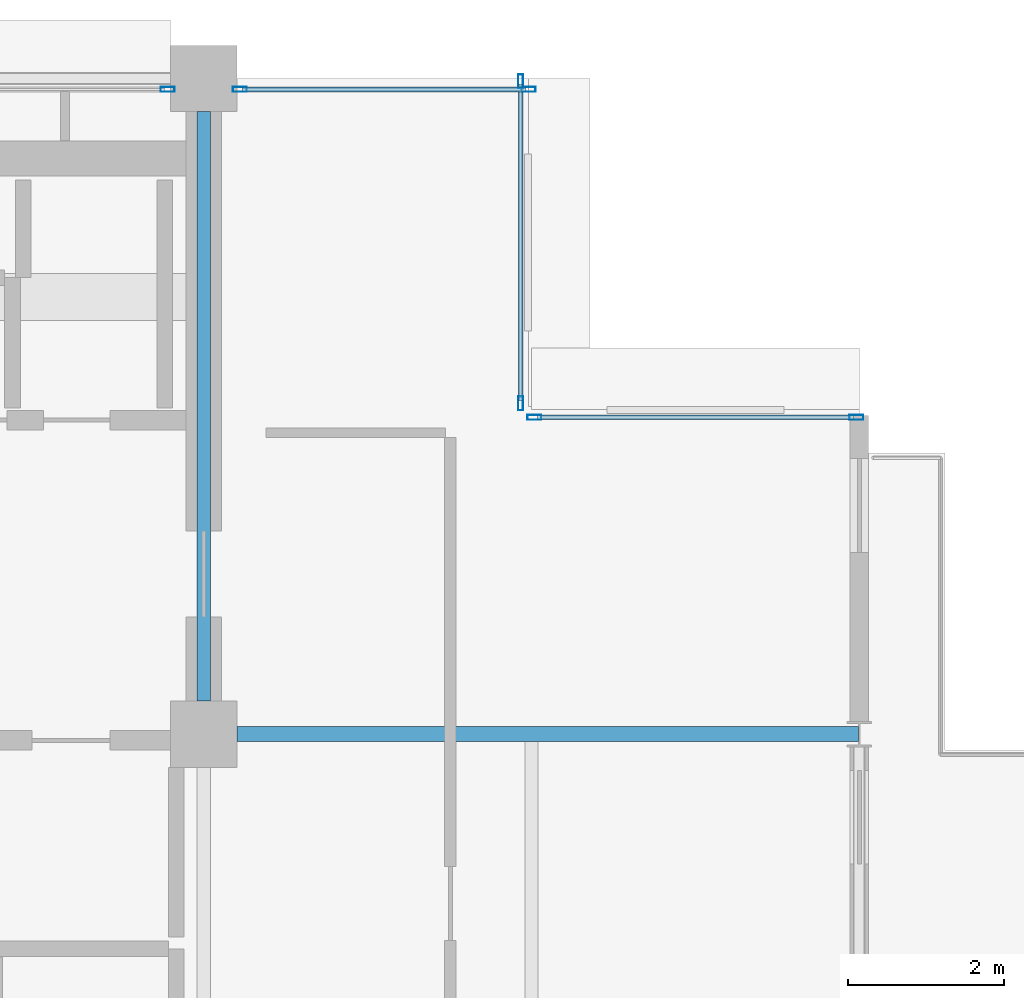
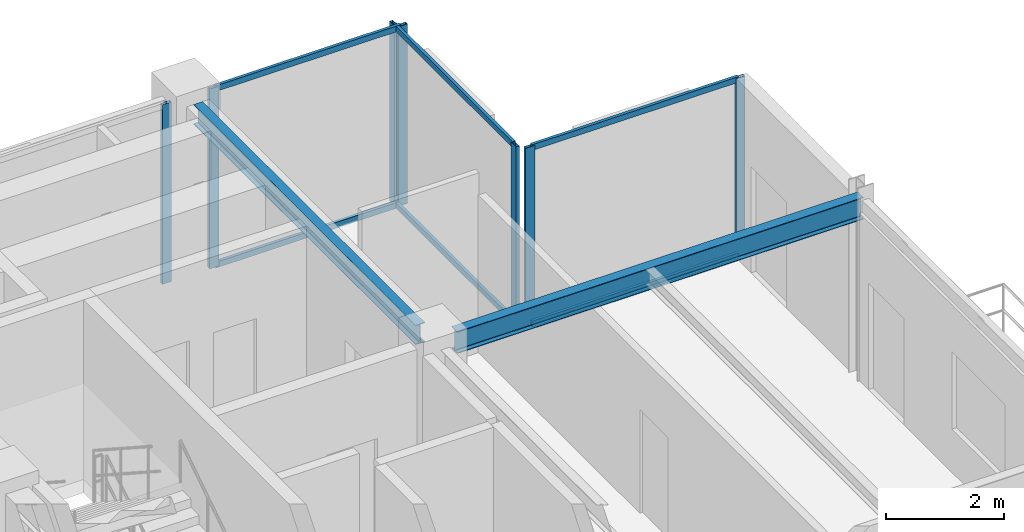
# One storey, part 18 of 25: 13 members, 2 beams, 4 elements without a shape of their own.
"""IFC4 building model written with IfcOpenShell, lengths in metres."""

from ifc_helpers import new_model, si_unit, direction, frame, origin, origin_2d, place, context, subcontext, project, spatial, hollow_rectangle, i_section, extrude, material, layer, layer_set, material_profile, profile_set, type_object, element, aggregate, save


model = new_model("IFC4")

# Units and contexts
model_context = context("Model", 3, precision=1e-05, world=origin(), true_north=direction((0.0, 1.0)))
body_context = subcontext(model_context, "Body", "Model", "MODEL_VIEW")
ifc_project = project(units=[si_unit("LENGTHUNIT", "METRE"), si_unit("AREAUNIT", "SQUARE_METRE"), si_unit("VOLUMEUNIT", "CUBIC_METRE"), si_unit("PLANEANGLEUNIT", "RADIAN"), si_unit("MASSUNIT", "GRAM", prefix="KILO")], contexts=[model_context])

# Site, building, storey
site_placement = place(None, origin())
site = spatial("IfcSite", under=ifc_project, at=site_placement, CompositionType="ELEMENT")
building_placement = place(site_placement, origin())
building = spatial("IfcBuilding", under=site, at=building_placement, Name="Nerrivon Quay Data Exchange", CompositionType="ELEMENT")
storey_placement = place(building_placement, frame((0.0, 0.0, 302.199951171875)))
storey = spatial("IfcBuildingStorey", under=building, at=storey_placement, Name="L72", CompositionType="ELEMENT", Elevation=302.199951171875)

# Beams
ifc_material_1 = material(Name="Steel Grade 350", Category="steel")
ifc_material_profile_1 = material_profile(ifc_material_1, i_section(OverallWidth=0.18994140625, OverallDepth=0.4541015625, WebThickness=0.008544921875, FlangeThickness=0.0126953125, FilletRadius=0.011474609375, at=origin_2d()), Name="460UB67.1")
ifc_profile_set_1 = profile_set([ifc_material_profile_1], Name="Steel Grade 350")
beam_type_1 = type_object("IfcBeamType", Name="BM-G6-460UB67", PredefinedType="BEAM", material=ifc_profile_set_1)
beam_1_placement = place(storey_placement, frame((17.22509765625, 33.60009765625, 3.498046875), z_axis=(1.0, 0.0, 0.0), x_axis=(0.0, 1.0, 0.0)))
element("IfcBeam", 1, at=beam_1_placement, inside=storey, type_object=beam_type_1, Name="L72 EW Girder Y=33.6 (16.8..25.2)", PredefinedType="BEAM", context=body_context, shape_type="SweptSolid", body=[
    extrude(i_section(OverallWidth=0.18994140625, OverallDepth=0.4541015625, WebThickness=0.008544921875, FlangeThickness=0.0126953125, FilletRadius=0.011474609375, at=origin_2d()), origin(), (0.0, 0.0, 1.0), 7.967041015625),
])
ifc_material_profile_2 = material_profile(ifc_material_1, i_section(OverallWidth=0.177978515625, OverallDepth=0.406005859375, WebThickness=0.0078125, FlangeThickness=0.0126953125, FilletRadius=0.011474609375, at=origin_2d()), Name="410UB59.7")
ifc_profile_set_2 = profile_set([ifc_material_profile_2], Name="Steel Grade 350")
beam_type_2 = type_object("IfcBeamType", Name="BM-J1-410UB60", PredefinedType="JOIST", material=ifc_profile_set_2)
beam_2_placement = place(storey_placement, frame((16.800048828125, 34.02490234375, 3.52197265625), z_axis=(0.0, 1.0, 0.0), x_axis=(-1.0, 0.0, 0.0)))
element("IfcBeam", 2, at=beam_2_placement, inside=storey, type_object=beam_type_2, Name="L72 NS Girder X=16.8 (33.6..42.0)", PredefinedType="JOIST", context=body_context, shape_type="SweptSolid", body=[
    extrude(i_section(OverallWidth=0.177978515625, OverallDepth=0.406005859375, WebThickness=0.0078125, FlangeThickness=0.0126953125, FilletRadius=0.011474609375, at=origin_2d()), origin(), (0.0, 0.0, 1.0), 7.550048828125),
])

# Curtain wall, member
ifc_material_2 = material(Name="Anodised aluminium 6063-T6", Category="aluminium")
ifc_layer = layer(ifc_material_2, 0.195068359375)
ifc_layer_set = layer_set([ifc_layer], Name="Anodised aluminium 6063-T6")
curtain_wall_type = type_object("IfcCurtainWallType", Name="CW-SYS-06", PredefinedType="NOTDEFINED", material=ifc_layer_set)
curtain_wall_1_placement = place(storey_placement, origin())
curtain_wall_1 = element("IfcCurtainWall", 3, at=curtain_wall_1_placement, inside=storey, type_object=curtain_wall_type, Name="L72 Unitised Curtain Wall 15", PredefinedType="NOTDEFINED")
ifc_material_profile_3 = material_profile(ifc_material_2, hollow_rectangle(XDim=0.06494140625, YDim=0.179931640625, WallThickness=0.00341796875, at=origin_2d()), Name="ALU-MULL-180x65")
ifc_profile_set_3 = profile_set([ifc_material_profile_3], Name="Anodised aluminium 6063-T6")
member_type_1 = type_object("IfcMemberType", Name="CWM-180x65", PredefinedType="MULLION", material=ifc_profile_set_3)
member_1_placement = place(storey_placement, frame((16.33740234375, 41.860107421875, 0.0), z_axis=(0.0, 0.0, 1.0), x_axis=(0.0, 1.0, 0.0)))
member_1 = element("IfcMember", 4, at=member_1_placement, type_object=member_type_1, Name="CW06 mullion 2", PredefinedType="MULLION", context=body_context, shape_type="SweptSolid", body=[
    extrude(hollow_rectangle(XDim=0.06494140625, YDim=0.179931640625, WallThickness=0.00341796875, at=origin_2d()), origin(), (0.0, 0.0, 1.0), 3.72509765625),
])
aggregate(curtain_wall_1, [member_1])

# Curtain wall, members
curtain_wall_2_placement = place(storey_placement, origin())
curtain_wall_2 = element("IfcCurtainWall", 5, at=curtain_wall_2_placement, inside=storey, type_object=curtain_wall_type, Name="L72 Unitised Curtain Wall 16", PredefinedType="NOTDEFINED")
member_2_placement = place(storey_placement, frame((17.262451171875, 41.860107421875, 0.0), z_axis=(0.0, 0.0, 1.0), x_axis=(0.0, 1.0, 0.0)))
member_2 = element("IfcMember", 6, at=member_2_placement, type_object=member_type_1, Name="CW06 mullion 1", PredefinedType="MULLION", context=body_context, shape_type="SweptSolid", body=[
    extrude(hollow_rectangle(XDim=0.06494140625, YDim=0.179931640625, WallThickness=0.00341796875, at=origin_2d()), origin(), (0.0, 0.0, 1.0), 3.72509765625),
])
member_3_placement = place(storey_placement, frame((20.96240234375, 41.860107421875, 0.0), z_axis=(0.0, 0.0, 1.0), x_axis=(0.0, 1.0, 0.0)))
member_3 = element("IfcMember", 7, at=member_3_placement, type_object=member_type_1, Name="CW06 mullion 2", PredefinedType="MULLION", context=body_context, shape_type="SweptSolid", body=[
    extrude(hollow_rectangle(XDim=0.06494140625, YDim=0.179931640625, WallThickness=0.00341796875, at=origin_2d()), origin(), (0.0, 0.0, 1.0), 3.72509765625),
])

curtain_wall_3_placement = place(storey_placement, origin())
curtain_wall_3 = element("IfcCurtainWall", 8, at=curtain_wall_3_placement, inside=storey, type_object=curtain_wall_type, Name="L72 Unitised Curtain Wall 17", PredefinedType="NOTDEFINED")
member_4_placement = place(storey_placement, frame((20.860107421875, 41.96240234375, 0.0), z_axis=(0.0, 0.0, 1.0), x_axis=(1.0, 0.0, 0.0)))
member_4 = element("IfcMember", 9, at=member_4_placement, type_object=member_type_1, Name="CW06 mullion 1", PredefinedType="MULLION", context=body_context, shape_type="SweptSolid", body=[
    extrude(hollow_rectangle(XDim=0.06494140625, YDim=0.179931640625, WallThickness=0.00341796875, at=origin_2d()), origin(), (0.0, 0.0, 1.0), 3.72509765625),
])
member_5_placement = place(storey_placement, frame((20.860107421875, 37.83740234375, 0.0), z_axis=(0.0, 0.0, 1.0), x_axis=(1.0, 0.0, 0.0)))
member_5 = element("IfcMember", 10, at=member_5_placement, type_object=member_type_1, Name="CW06 mullion 2", PredefinedType="MULLION", context=body_context, shape_type="SweptSolid", body=[
    extrude(hollow_rectangle(XDim=0.06494140625, YDim=0.179931640625, WallThickness=0.00341796875, at=origin_2d()), origin(), (0.0, 0.0, 1.0), 3.72509765625),
])

curtain_wall_4_placement = place(storey_placement, origin())
curtain_wall_4 = element("IfcCurtainWall", 11, at=curtain_wall_4_placement, inside=storey, type_object=curtain_wall_type, Name="L72 Unitised Curtain Wall 18", PredefinedType="NOTDEFINED")
member_6_placement = place(storey_placement, frame((21.03759765625, 37.659912109375, 0.0), z_axis=(0.0, 0.0, 1.0), x_axis=(0.0, 1.0, 0.0)))
member_6 = element("IfcMember", 12, at=member_6_placement, type_object=member_type_1, Name="CW06 mullion 1", PredefinedType="MULLION", context=body_context, shape_type="SweptSolid", body=[
    extrude(hollow_rectangle(XDim=0.06494140625, YDim=0.179931640625, WallThickness=0.00341796875, at=origin_2d()), origin(), (0.0, 0.0, 1.0), 3.72509765625),
])
member_7_placement = place(storey_placement, frame((25.16259765625, 37.659912109375, 0.0), z_axis=(0.0, 0.0, 1.0), x_axis=(0.0, 1.0, 0.0)))
member_7 = element("IfcMember", 13, at=member_7_placement, type_object=member_type_1, Name="CW06 mullion 2", PredefinedType="MULLION", context=body_context, shape_type="SweptSolid", body=[
    extrude(hollow_rectangle(XDim=0.06494140625, YDim=0.179931640625, WallThickness=0.00341796875, at=origin_2d()), origin(), (0.0, 0.0, 1.0), 3.72509765625),
])

# Member
ifc_material_profile_4 = material_profile(ifc_material_2, hollow_rectangle(XDim=0.06005859375, YDim=0.1201171875, WallThickness=0.003173828125, at=origin_2d()), Name="ALU-TRAN-120x60")
ifc_profile_set_4 = profile_set([ifc_material_profile_4], Name="Anodised aluminium 6063-T6")
member_type_2 = type_object("IfcMemberType", Name="CWT-120x60", PredefinedType="USERDEFINED", material=ifc_profile_set_4)
member_8_placement = place(storey_placement, frame((17.300048828125, 41.860107421875, 0.032470703125), z_axis=(1.0, 0.0, 0.0), x_axis=(0.0, 1.0, 0.0)))
member_8 = element("IfcMember", 14, at=member_8_placement, type_object=member_type_2, Name="CW06 transom 1.1", ObjectType="TRANSOM", PredefinedType="USERDEFINED", context=body_context, shape_type="SweptSolid", body=[
    extrude(hollow_rectangle(XDim=0.06005859375, YDim=0.1201171875, WallThickness=0.003173828125, at=origin_2d()), origin(), (0.0, 0.0, 1.0), 3.625),
])

member_9_placement = place(storey_placement, frame((17.300048828125, 41.860107421875, 3.692626953125), z_axis=(1.0, 0.0, 0.0), x_axis=(0.0, 1.0, 0.0)))
member_9 = element("IfcMember", 15, at=member_9_placement, type_object=member_type_2, Name="CW06 transom 1.2", ObjectType="TRANSOM", PredefinedType="USERDEFINED", context=body_context, shape_type="SweptSolid", body=[
    extrude(hollow_rectangle(XDim=0.06005859375, YDim=0.1201171875, WallThickness=0.003173828125, at=origin_2d()), origin(), (0.0, 0.0, 1.0), 3.625),
])

aggregate(curtain_wall_2, [member_2, member_3, member_8, member_9])

member_10_placement = place(storey_placement, frame((20.860107421875, 41.925048828125, 0.032470703125), z_axis=(0.0, -1.0, 0.0), x_axis=(1.0, 0.0, 0.0)))
member_10 = element("IfcMember", 16, at=member_10_placement, type_object=member_type_2, Name="CW06 transom 1.1", ObjectType="TRANSOM", PredefinedType="USERDEFINED", context=body_context, shape_type="SweptSolid", body=[
    extrude(hollow_rectangle(XDim=0.06005859375, YDim=0.1201171875, WallThickness=0.003173828125, at=origin_2d()), origin(), (0.0, 0.0, 1.0), 4.050048828125),
])

member_11_placement = place(storey_placement, frame((20.860107421875, 41.925048828125, 3.692626953125), z_axis=(0.0, -1.0, 0.0), x_axis=(1.0, 0.0, 0.0)))
member_11 = element("IfcMember", 17, at=member_11_placement, type_object=member_type_2, Name="CW06 transom 1.2", ObjectType="TRANSOM", PredefinedType="USERDEFINED", context=body_context, shape_type="SweptSolid", body=[
    extrude(hollow_rectangle(XDim=0.06005859375, YDim=0.1201171875, WallThickness=0.003173828125, at=origin_2d()), origin(), (0.0, 0.0, 1.0), 4.050048828125),
])

aggregate(curtain_wall_3, [member_4, member_5, member_10, member_11])

member_12_placement = place(storey_placement, frame((21.074951171875, 37.659912109375, 0.032470703125), z_axis=(1.0, 0.0, 0.0), x_axis=(0.0, 1.0, 0.0)))
member_12 = element("IfcMember", 18, at=member_12_placement, type_object=member_type_2, Name="CW06 transom 1.1", ObjectType="TRANSOM", PredefinedType="USERDEFINED", context=body_context, shape_type="SweptSolid", body=[
    extrude(hollow_rectangle(XDim=0.06005859375, YDim=0.1201171875, WallThickness=0.003173828125, at=origin_2d()), origin(), (0.0, 0.0, 1.0), 4.050048828125),
])

member_13_placement = place(storey_placement, frame((21.074951171875, 37.659912109375, 3.692626953125), z_axis=(1.0, 0.0, 0.0), x_axis=(0.0, 1.0, 0.0)))
member_13 = element("IfcMember", 19, at=member_13_placement, type_object=member_type_2, Name="CW06 transom 1.2", ObjectType="TRANSOM", PredefinedType="USERDEFINED", context=body_context, shape_type="SweptSolid", body=[
    extrude(hollow_rectangle(XDim=0.06005859375, YDim=0.1201171875, WallThickness=0.003173828125, at=origin_2d()), origin(), (0.0, 0.0, 1.0), 4.050048828125),
])

aggregate(curtain_wall_4, [member_6, member_7, member_12, member_13])

save(model, "model.ifc")
